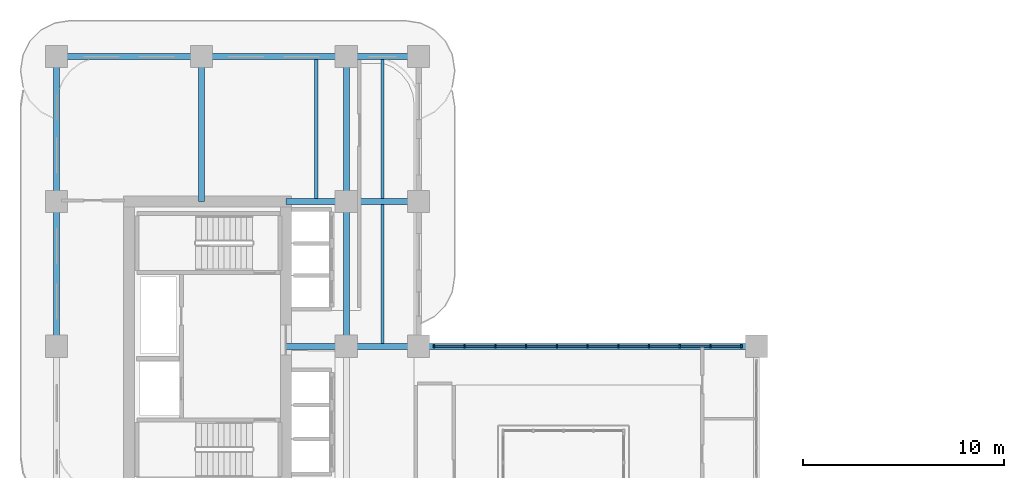
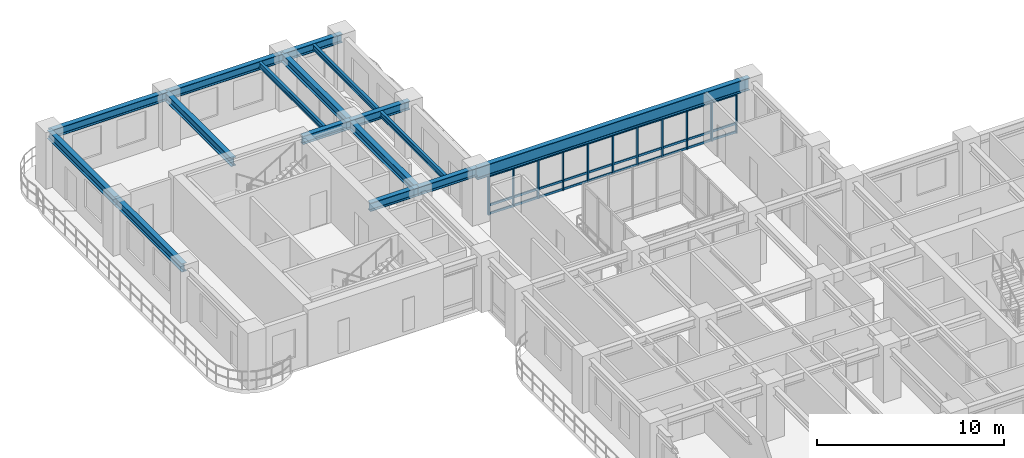
# One storey, part 5 of 19: 41 members, 16 beams, 1 element without a shape of its own.
"""IFC4 building model written with IfcOpenShell, lengths in metres."""

from ifc_helpers import new_model, si_unit, derived_unit, direction, frame, origin, origin_2d, place, context, subcontext, project, spatial, rectangle, i_section, extrude, source, transform, mapped, material, layer, layer_set, material_profile, profile_set, type_object, type_shapes, element, aggregate, save


model = new_model("IFC4")

# Units and contexts
model_context = context("Model", 3, precision=1e-05, world=origin(), true_north=direction((0.0, 1.0)))
body_context = subcontext(model_context, "Body", "Model", "MODEL_VIEW")
ifc_project = project(units=[si_unit("LENGTHUNIT", "METRE"), si_unit("AREAUNIT", "SQUARE_METRE"), si_unit("VOLUMEUNIT", "CUBIC_METRE"), si_unit("PLANEANGLEUNIT", "RADIAN"), si_unit("MASSUNIT", "GRAM", prefix="KILO"), si_unit("THERMODYNAMICTEMPERATUREUNIT", "KELVIN"), si_unit("POWERUNIT", "WATT"), derived_unit("THERMALTRANSMITTANCEUNIT", [(si_unit("POWERUNIT", "WATT"), 1), (si_unit("AREAUNIT", "SQUARE_METRE"), -1), (si_unit("THERMODYNAMICTEMPERATUREUNIT", "KELVIN"), -1)])], contexts=[model_context])

# Site, building, storey
site_placement = place(None, origin())
site = spatial("IfcSite", under=ifc_project, at=site_placement, CompositionType="ELEMENT")
building_placement = place(site_placement, origin())
building = spatial("IfcBuilding", under=site, at=building_placement, Name="Zahravan Archway Hotel and Residences", CompositionType="ELEMENT")
storey_placement = place(building_placement, frame((0.0, 0.0, 102.699951171875)))
storey = spatial("IfcBuildingStorey", under=building, at=storey_placement, Name="L25", CompositionType="ELEMENT", Elevation=102.699951171875)

# Beams
ifc_material_1 = material(Name="Structural Steel S355JR", Category="steel")
ifc_material_profile_1 = material_profile(ifc_material_1, i_section(OverallWidth=0.300048828125, OverallDepth=0.550048828125, WebThickness=0.014892578125, FlangeThickness=0.029052734375, FilletRadius=0.027099609375, at=origin_2d()), Name="HEB 550", Category="steel")
ifc_profile_set_1 = profile_set([ifc_material_profile_1], Name="Structural Steel S355JR")
beam_type_1 = type_object("IfcBeamType", Name="BM-PRI-HEB550", PredefinedType="BEAM", material=ifc_profile_set_1)
shared_shape_1 = source(origin(), body_context, "Body", "SweptSolid", [
    extrude(i_section(OverallWidth=0.300048828125, OverallDepth=0.550048828125, WebThickness=0.014892578125, FlangeThickness=0.029052734375, FilletRadius=0.027099609375, at=origin_2d()), origin(), (0.0, 0.0, 1.0), 7.2001953125),
])
type_shapes(beam_type_1, [shared_shape_1])
for number, where, z_axis, x_axis, name in (
    (1, (0.0, 32.39990234375, 3.125), (0.0, 1.0, 0.0), (-1.0, 0.0, 0.0), "L25 Primary Girder NS-30"),
    (2, (14.39990234375, 32.39990234375, 3.125), (0.0, 1.0, 0.0), (-1.0, 0.0, 0.0), "L25 Primary Girder NS-38"),
):
    element("IfcBeam", number, at=place(storey_placement, frame(where, z_axis=z_axis, x_axis=x_axis)), inside=storey, type_object=beam_type_1, Name=name, PredefinedType="BEAM", context=body_context, shape_type="MappedRepresentation", body=[
        mapped(shared_shape_1, transform((0.0, 0.0, 0.0), scale=1.0)),
    ])
shared_shape_2 = source(origin(), body_context, "Body", "SweptSolid", [
    extrude(i_section(OverallWidth=0.300048828125, OverallDepth=0.550048828125, WebThickness=0.014892578125, FlangeThickness=0.029052734375, FilletRadius=0.027099609375, at=origin_2d()), origin(), (0.0, 0.0, 1.0), 7.199951171875),
])
for number, where, z_axis, x_axis, name in (
    (3, (0.0, 46.800048828125, 3.125), (1.0, 0.0, 0.0), (0.0, 1.0, 0.0), "L25 Primary Girder EW-26"),
    (4, (7.199951171875, 46.800048828125, 3.125), (1.0, 0.0, 0.0), (0.0, 1.0, 0.0), "L25 Primary Girder EW-27"),
    (5, (0.0, 39.60009765625, 3.125), (0.0, 1.0, 0.0), (-1.0, 0.0, 0.0), "L25 Primary Girder NS-31"),
    (6, (7.199951171875, 39.60009765625, 3.125), (0.0, 1.0, 0.0), (-1.0, 0.0, 0.0), "L25 Primary Girder NS-32"),
    (7, (14.39990234375, 39.60009765625, 3.125), (0.0, 1.0, 0.0), (-1.0, 0.0, 0.0), "L25 Primary Girder NS-39"),
):
    element("IfcBeam", number, at=place(storey_placement, frame(where, z_axis=z_axis, x_axis=x_axis)), inside=storey, type_object=beam_type_1, Name=name, PredefinedType="BEAM", context=body_context, shape_type="MappedRepresentation", body=[
        mapped(shared_shape_2, transform((0.0, 0.0, 0.0), scale=1.0)),
    ])
shared_shape_3 = source(origin(), body_context, "Body", "SweptSolid", [
    extrude(i_section(OverallWidth=0.300048828125, OverallDepth=0.550048828125, WebThickness=0.014892578125, FlangeThickness=0.029052734375, FilletRadius=0.027099609375, at=origin_2d()), origin(), (0.0, 0.0, 1.0), 3.0),
])
for number, where, z_axis, x_axis, name in (
    (8, (11.39990234375, 32.39990234375, 3.125), (1.0, 0.0, 0.0), (0.0, 1.0, 0.0), "L25 Primary Girder EW-21"),
    (9, (11.39990234375, 39.60009765625, 3.125), (1.0, 0.0, 0.0), (0.0, 1.0, 0.0), "L25 Primary Girder EW-24"),
):
    element("IfcBeam", number, at=place(storey_placement, frame(where, z_axis=z_axis, x_axis=x_axis)), inside=storey, type_object=beam_type_1, Name=name, PredefinedType="BEAM", context=body_context, shape_type="MappedRepresentation", body=[
        mapped(shared_shape_3, transform((0.0, 0.0, 0.0), scale=1.0)),
    ])
ifc_material_2 = material(Name="Structural Steel S355J2", Category="steel")
ifc_material_profile_2 = material_profile(ifc_material_2, i_section(OverallWidth=0.300048828125, OverallDepth=0.800048828125, WebThickness=0.017578125, FlangeThickness=0.032958984375, FilletRadius=0.030029296875, at=origin_2d()), Name="HEB 800", Category="steel")
ifc_profile_set_2 = profile_set([ifc_material_profile_2], Name="Structural Steel S355J2")
beam_type_2 = type_object("IfcBeamType", Name="BM-PRI-HEB800", PredefinedType="BEAM", material=ifc_profile_set_2)
shared_shape_4 = source(origin(), body_context, "Body", "SweptSolid", [
    extrude(i_section(OverallWidth=0.300048828125, OverallDepth=0.800048828125, WebThickness=0.017578125, FlangeThickness=0.032958984375, FilletRadius=0.030029296875, at=origin_2d()), origin(), (0.0, 0.0, 1.0), 16.800048828125),
])
type_shapes(beam_type_2, [shared_shape_4])
beam_1_placement = place(storey_placement, frame((18.0, 32.39990234375, 3.0), z_axis=(1.0, 0.0, 0.0), x_axis=(0.0, 1.0, 0.0)))
element("IfcBeam", 10, at=beam_1_placement, inside=storey, type_object=beam_type_2, Name="L25 Primary Girder EW-23", PredefinedType="BEAM", context=body_context, shape_type="MappedRepresentation", body=[
    mapped(shared_shape_4, transform((0.0, 0.0, 0.0), scale=1.0)),
])
ifc_material_profile_3 = material_profile(ifc_material_1, i_section(OverallWidth=0.169921875, OverallDepth=0.360107421875, WebThickness=0.008056640625, FlangeThickness=0.0126953125, FilletRadius=0.01806640625, at=origin_2d()), Name="IPE 360", Category="steel")
ifc_profile_set_3 = profile_set([ifc_material_profile_3], Name="Structural Steel S355JR")
beam_type_3 = type_object("IfcBeamType", Name="BM-JST-IPE360", PredefinedType="JOIST", material=ifc_profile_set_3)
shared_shape_5 = source(origin(), body_context, "Body", "SweptSolid", [
    extrude(i_section(OverallWidth=0.169921875, OverallDepth=0.360107421875, WebThickness=0.008056640625, FlangeThickness=0.0126953125, FilletRadius=0.01806640625, at=origin_2d()), origin(), (0.0, 0.0, 1.0), 6.904052734375),
])
type_shapes(beam_type_3, [shared_shape_5])
for number, where, z_axis, x_axis, name in (
    (11, (12.89990234375, 39.748046875, 3.219970703125), (0.0, 1.0, 0.0), (-1.0, 0.0, 0.0), "L25 Composite Floor Joist 14"),
    (12, (16.199951171875, 39.748046875, 3.219970703125), (0.0, 1.0, 0.0), (-1.0, 0.0, 0.0), "L25 Composite Floor Joist 15"),
):
    element("IfcBeam", number, at=place(storey_placement, frame(where, z_axis=z_axis, x_axis=x_axis)), inside=storey, type_object=beam_type_3, Name=name, PredefinedType="JOIST", context=body_context, shape_type="MappedRepresentation", body=[
        mapped(shared_shape_5, transform((0.0, 0.0, 0.0), scale=1.0)),
    ])
shared_shape_6 = source(origin(), body_context, "Body", "SweptSolid", [
    extrude(i_section(OverallWidth=0.169921875, OverallDepth=0.360107421875, WebThickness=0.008056640625, FlangeThickness=0.0126953125, FilletRadius=0.01806640625, at=origin_2d()), origin(), (0.0, 0.0, 1.0), 6.90380859375),
])
beam_2_placement = place(storey_placement, frame((16.199951171875, 32.548095703125, 3.219970703125), z_axis=(0.0, 1.0, 0.0), x_axis=(-1.0, 0.0, 0.0)))
element("IfcBeam", 13, at=beam_2_placement, inside=storey, type_object=beam_type_3, Name="L25 Composite Floor Joist 13", PredefinedType="JOIST", context=body_context, shape_type="MappedRepresentation", body=[
    mapped(shared_shape_6, transform((0.0, 0.0, 0.0), scale=1.0)),
])
shared_shape_7 = source(origin(), body_context, "Body", "SweptSolid", [
    extrude(i_section(OverallWidth=0.300048828125, OverallDepth=0.550048828125, WebThickness=0.014892578125, FlangeThickness=0.029052734375, FilletRadius=0.027099609375, at=origin_2d()), origin(), (0.0, 0.0, 1.0), 3.60009765625),
])
for number, where, z_axis, x_axis, name in (
    (14, (14.39990234375, 32.39990234375, 3.125), (1.0, 0.0, 0.0), (0.0, 1.0, 0.0), "L25 Primary Girder EW-22"),
    (15, (14.39990234375, 39.60009765625, 3.125), (1.0, 0.0, 0.0), (0.0, 1.0, 0.0), "L25 Primary Girder EW-25"),
    (16, (14.39990234375, 46.800048828125, 3.125), (1.0, 0.0, 0.0), (0.0, 1.0, 0.0), "L25 Primary Girder EW-28"),
):
    element("IfcBeam", number, at=place(storey_placement, frame(where, z_axis=z_axis, x_axis=x_axis)), inside=storey, type_object=beam_type_1, Name=name, PredefinedType="BEAM", context=body_context, shape_type="MappedRepresentation", body=[
        mapped(shared_shape_7, transform((0.0, 0.0, 0.0), scale=1.0)),
    ])

# Curtain wall, members
ifc_material_3 = material(Name="Bronze-Anodized Unitised Aluminium & Low-E Glass", Category="aluminium")
ifc_layer = layer(ifc_material_3, 0.179931640625, Name="Bronze-Anodized Unitised Aluminium & Low-E Glass", Category="aluminium")
ifc_layer_set = layer_set([ifc_layer], Name="Bronze-Anodized Unitised Aluminium & Low-E Glass")
curtain_wall_type = type_object("IfcCurtainWallType", Name="CW-ATR-GLAZ", PredefinedType="NOTDEFINED", material=ifc_layer_set)
curtain_wall_placement = place(storey_placement, origin())
curtain_wall = element("IfcCurtainWall", 17, at=curtain_wall_placement, inside=storey, type_object=curtain_wall_type, Name="L25 Curtain Wall CW-L25-HNG-N-1", PredefinedType="NOTDEFINED")
ifc_material_4 = material(Name="Bronze-Anodized Extruded Aluminium", Category="aluminium")
ifc_material_profile_4 = material_profile(ifc_material_4, rectangle(XDim=0.080078125, YDim=0.139892578125, at=origin_2d()), Name="TRN 80x140", Category="aluminium")
ifc_profile_set_4 = profile_set([ifc_material_profile_4], Name="Bronze-Anodized Extruded Aluminium")
member_type_1 = type_object("IfcMemberType", Name="CWM-TRN-140", PredefinedType="USERDEFINED", material=ifc_profile_set_4)
shared_shape_8 = source(origin(), body_context, "Body", "SweptSolid", [
    extrude(rectangle(XDim=0.080078125, YDim=0.139892578125, at=origin_2d()), origin(), (0.0, 0.0, 1.0), 1.447998046875),
])
member_1_placement = place(storey_placement, frame((18.800048828125, 32.39990234375, 0.070068359375), z_axis=(1.0, 0.0, 0.0), x_axis=(0.0, 1.0, 0.0)))
member_1 = element("IfcMember", 18, at=member_1_placement, type_object=member_type_1, Name="CW-L25-HNG-N-1 Transom 0-1", ObjectType="TRANSOM", PredefinedType="USERDEFINED", context=body_context, shape_type="MappedRepresentation", body=[
    mapped(shared_shape_8, transform((0.0, 0.0, 0.0), scale=1.0)),
])
member_2_placement = place(storey_placement, frame((18.800048828125, 32.39990234375, 0.620361328125), z_axis=(1.0, 0.0, 0.0), x_axis=(0.0, 1.0, 0.0)))
member_2 = element("IfcMember", 19, at=member_2_placement, type_object=member_type_1, Name="CW-L25-HNG-N-1 Transom 0-2", ObjectType="TRANSOM", PredefinedType="USERDEFINED", context=body_context, shape_type="MappedRepresentation", body=[
    mapped(shared_shape_8, transform((0.0, 0.0, 0.0), scale=1.0)),
])
member_3_placement = place(storey_placement, frame((18.800048828125, 32.39990234375, 2.51513671875), z_axis=(1.0, 0.0, 0.0), x_axis=(0.0, 1.0, 0.0)))
member_3 = element("IfcMember", 20, at=member_3_placement, type_object=member_type_1, Name="CW-L25-HNG-N-1 Transom 0-3", ObjectType="TRANSOM", PredefinedType="USERDEFINED", context=body_context, shape_type="MappedRepresentation", body=[
    mapped(shared_shape_8, transform((0.0, 0.0, 0.0), scale=1.0)),
])
member_4_placement = place(storey_placement, frame((20.327880859375, 32.39990234375, 0.070068359375), z_axis=(1.0, 0.0, 0.0), x_axis=(0.0, 1.0, 0.0)))
member_4 = element("IfcMember", 21, at=member_4_placement, type_object=member_type_1, Name="CW-L25-HNG-N-1 Transom 1-1", ObjectType="TRANSOM", PredefinedType="USERDEFINED", context=body_context, shape_type="MappedRepresentation", body=[
    mapped(shared_shape_8, transform((0.0, 0.0, 0.0), scale=1.0)),
])
member_5_placement = place(storey_placement, frame((20.327880859375, 32.39990234375, 0.620361328125), z_axis=(1.0, 0.0, 0.0), x_axis=(0.0, 1.0, 0.0)))
member_5 = element("IfcMember", 22, at=member_5_placement, type_object=member_type_1, Name="CW-L25-HNG-N-1 Transom 1-2", ObjectType="TRANSOM", PredefinedType="USERDEFINED", context=body_context, shape_type="MappedRepresentation", body=[
    mapped(shared_shape_8, transform((0.0, 0.0, 0.0), scale=1.0)),
])
member_6_placement = place(storey_placement, frame((20.327880859375, 32.39990234375, 2.51513671875), z_axis=(1.0, 0.0, 0.0), x_axis=(0.0, 1.0, 0.0)))
member_6 = element("IfcMember", 23, at=member_6_placement, type_object=member_type_1, Name="CW-L25-HNG-N-1 Transom 1-3", ObjectType="TRANSOM", PredefinedType="USERDEFINED", context=body_context, shape_type="MappedRepresentation", body=[
    mapped(shared_shape_8, transform((0.0, 0.0, 0.0), scale=1.0)),
])
member_7_placement = place(storey_placement, frame((21.85595703125, 32.39990234375, 0.070068359375), z_axis=(1.0, 0.0, 0.0), x_axis=(0.0, 1.0, 0.0)))
member_7 = element("IfcMember", 24, at=member_7_placement, type_object=member_type_1, Name="CW-L25-HNG-N-1 Transom 2-1", ObjectType="TRANSOM", PredefinedType="USERDEFINED", context=body_context, shape_type="MappedRepresentation", body=[
    mapped(shared_shape_8, transform((0.0, 0.0, 0.0), scale=1.0)),
])
member_8_placement = place(storey_placement, frame((21.85595703125, 32.39990234375, 0.620361328125), z_axis=(1.0, 0.0, 0.0), x_axis=(0.0, 1.0, 0.0)))
member_8 = element("IfcMember", 25, at=member_8_placement, type_object=member_type_1, Name="CW-L25-HNG-N-1 Transom 2-2", ObjectType="TRANSOM", PredefinedType="USERDEFINED", context=body_context, shape_type="MappedRepresentation", body=[
    mapped(shared_shape_8, transform((0.0, 0.0, 0.0), scale=1.0)),
])
member_9_placement = place(storey_placement, frame((21.85595703125, 32.39990234375, 2.51513671875), z_axis=(1.0, 0.0, 0.0), x_axis=(0.0, 1.0, 0.0)))
member_9 = element("IfcMember", 26, at=member_9_placement, type_object=member_type_1, Name="CW-L25-HNG-N-1 Transom 2-3", ObjectType="TRANSOM", PredefinedType="USERDEFINED", context=body_context, shape_type="MappedRepresentation", body=[
    mapped(shared_shape_8, transform((0.0, 0.0, 0.0), scale=1.0)),
])
member_10_placement = place(storey_placement, frame((23.384033203125, 32.39990234375, 0.070068359375), z_axis=(1.0, 0.0, 0.0), x_axis=(0.0, 1.0, 0.0)))
member_10 = element("IfcMember", 27, at=member_10_placement, type_object=member_type_1, Name="CW-L25-HNG-N-1 Transom 3-1", ObjectType="TRANSOM", PredefinedType="USERDEFINED", context=body_context, shape_type="MappedRepresentation", body=[
    mapped(shared_shape_8, transform((0.0, 0.0, 0.0), scale=1.0)),
])
member_11_placement = place(storey_placement, frame((23.384033203125, 32.39990234375, 0.620361328125), z_axis=(1.0, 0.0, 0.0), x_axis=(0.0, 1.0, 0.0)))
member_11 = element("IfcMember", 28, at=member_11_placement, type_object=member_type_1, Name="CW-L25-HNG-N-1 Transom 3-2", ObjectType="TRANSOM", PredefinedType="USERDEFINED", context=body_context, shape_type="MappedRepresentation", body=[
    mapped(shared_shape_8, transform((0.0, 0.0, 0.0), scale=1.0)),
])
member_12_placement = place(storey_placement, frame((23.384033203125, 32.39990234375, 2.51513671875), z_axis=(1.0, 0.0, 0.0), x_axis=(0.0, 1.0, 0.0)))
member_12 = element("IfcMember", 29, at=member_12_placement, type_object=member_type_1, Name="CW-L25-HNG-N-1 Transom 3-3", ObjectType="TRANSOM", PredefinedType="USERDEFINED", context=body_context, shape_type="MappedRepresentation", body=[
    mapped(shared_shape_8, transform((0.0, 0.0, 0.0), scale=1.0)),
])
member_13_placement = place(storey_placement, frame((24.912109375, 32.39990234375, 0.070068359375), z_axis=(1.0, 0.0, 0.0), x_axis=(0.0, 1.0, 0.0)))
member_13 = element("IfcMember", 30, at=member_13_placement, type_object=member_type_1, Name="CW-L25-HNG-N-1 Transom 4-1", ObjectType="TRANSOM", PredefinedType="USERDEFINED", context=body_context, shape_type="MappedRepresentation", body=[
    mapped(shared_shape_8, transform((0.0, 0.0, 0.0), scale=1.0)),
])
member_14_placement = place(storey_placement, frame((24.912109375, 32.39990234375, 0.620361328125), z_axis=(1.0, 0.0, 0.0), x_axis=(0.0, 1.0, 0.0)))
member_14 = element("IfcMember", 31, at=member_14_placement, type_object=member_type_1, Name="CW-L25-HNG-N-1 Transom 4-2", ObjectType="TRANSOM", PredefinedType="USERDEFINED", context=body_context, shape_type="MappedRepresentation", body=[
    mapped(shared_shape_8, transform((0.0, 0.0, 0.0), scale=1.0)),
])
member_15_placement = place(storey_placement, frame((24.912109375, 32.39990234375, 2.51513671875), z_axis=(1.0, 0.0, 0.0), x_axis=(0.0, 1.0, 0.0)))
member_15 = element("IfcMember", 32, at=member_15_placement, type_object=member_type_1, Name="CW-L25-HNG-N-1 Transom 4-3", ObjectType="TRANSOM", PredefinedType="USERDEFINED", context=body_context, shape_type="MappedRepresentation", body=[
    mapped(shared_shape_8, transform((0.0, 0.0, 0.0), scale=1.0)),
])
member_16_placement = place(storey_placement, frame((26.43994140625, 32.39990234375, 0.070068359375), z_axis=(1.0, 0.0, 0.0), x_axis=(0.0, 1.0, 0.0)))
member_16 = element("IfcMember", 33, at=member_16_placement, type_object=member_type_1, Name="CW-L25-HNG-N-1 Transom 5-1", ObjectType="TRANSOM", PredefinedType="USERDEFINED", context=body_context, shape_type="MappedRepresentation", body=[
    mapped(shared_shape_8, transform((0.0, 0.0, 0.0), scale=1.0)),
])
member_17_placement = place(storey_placement, frame((26.43994140625, 32.39990234375, 0.620361328125), z_axis=(1.0, 0.0, 0.0), x_axis=(0.0, 1.0, 0.0)))
member_17 = element("IfcMember", 34, at=member_17_placement, type_object=member_type_1, Name="CW-L25-HNG-N-1 Transom 5-2", ObjectType="TRANSOM", PredefinedType="USERDEFINED", context=body_context, shape_type="MappedRepresentation", body=[
    mapped(shared_shape_8, transform((0.0, 0.0, 0.0), scale=1.0)),
])
member_18_placement = place(storey_placement, frame((26.43994140625, 32.39990234375, 2.51513671875), z_axis=(1.0, 0.0, 0.0), x_axis=(0.0, 1.0, 0.0)))
member_18 = element("IfcMember", 35, at=member_18_placement, type_object=member_type_1, Name="CW-L25-HNG-N-1 Transom 5-3", ObjectType="TRANSOM", PredefinedType="USERDEFINED", context=body_context, shape_type="MappedRepresentation", body=[
    mapped(shared_shape_8, transform((0.0, 0.0, 0.0), scale=1.0)),
])
member_19_placement = place(storey_placement, frame((27.968017578125, 32.39990234375, 0.070068359375), z_axis=(1.0, 0.0, 0.0), x_axis=(0.0, 1.0, 0.0)))
member_19 = element("IfcMember", 36, at=member_19_placement, type_object=member_type_1, Name="CW-L25-HNG-N-1 Transom 6-1", ObjectType="TRANSOM", PredefinedType="USERDEFINED", context=body_context, shape_type="MappedRepresentation", body=[
    mapped(shared_shape_8, transform((0.0, 0.0, 0.0), scale=1.0)),
])
member_20_placement = place(storey_placement, frame((27.968017578125, 32.39990234375, 0.620361328125), z_axis=(1.0, 0.0, 0.0), x_axis=(0.0, 1.0, 0.0)))
member_20 = element("IfcMember", 37, at=member_20_placement, type_object=member_type_1, Name="CW-L25-HNG-N-1 Transom 6-2", ObjectType="TRANSOM", PredefinedType="USERDEFINED", context=body_context, shape_type="MappedRepresentation", body=[
    mapped(shared_shape_8, transform((0.0, 0.0, 0.0), scale=1.0)),
])
member_21_placement = place(storey_placement, frame((27.968017578125, 32.39990234375, 2.51513671875), z_axis=(1.0, 0.0, 0.0), x_axis=(0.0, 1.0, 0.0)))
member_21 = element("IfcMember", 38, at=member_21_placement, type_object=member_type_1, Name="CW-L25-HNG-N-1 Transom 6-3", ObjectType="TRANSOM", PredefinedType="USERDEFINED", context=body_context, shape_type="MappedRepresentation", body=[
    mapped(shared_shape_8, transform((0.0, 0.0, 0.0), scale=1.0)),
])
member_22_placement = place(storey_placement, frame((29.49609375, 32.39990234375, 0.070068359375), z_axis=(1.0, 0.0, 0.0), x_axis=(0.0, 1.0, 0.0)))
member_22 = element("IfcMember", 39, at=member_22_placement, type_object=member_type_1, Name="CW-L25-HNG-N-1 Transom 7-1", ObjectType="TRANSOM", PredefinedType="USERDEFINED", context=body_context, shape_type="MappedRepresentation", body=[
    mapped(shared_shape_8, transform((0.0, 0.0, 0.0), scale=1.0)),
])
member_23_placement = place(storey_placement, frame((29.49609375, 32.39990234375, 0.620361328125), z_axis=(1.0, 0.0, 0.0), x_axis=(0.0, 1.0, 0.0)))
member_23 = element("IfcMember", 40, at=member_23_placement, type_object=member_type_1, Name="CW-L25-HNG-N-1 Transom 7-2", ObjectType="TRANSOM", PredefinedType="USERDEFINED", context=body_context, shape_type="MappedRepresentation", body=[
    mapped(shared_shape_8, transform((0.0, 0.0, 0.0), scale=1.0)),
])
member_24_placement = place(storey_placement, frame((29.49609375, 32.39990234375, 2.51513671875), z_axis=(1.0, 0.0, 0.0), x_axis=(0.0, 1.0, 0.0)))
member_24 = element("IfcMember", 41, at=member_24_placement, type_object=member_type_1, Name="CW-L25-HNG-N-1 Transom 7-3", ObjectType="TRANSOM", PredefinedType="USERDEFINED", context=body_context, shape_type="MappedRepresentation", body=[
    mapped(shared_shape_8, transform((0.0, 0.0, 0.0), scale=1.0)),
])
member_25_placement = place(storey_placement, frame((31.02392578125, 32.39990234375, 0.070068359375), z_axis=(1.0, 0.0, 0.0), x_axis=(0.0, 1.0, 0.0)))
member_25 = element("IfcMember", 42, at=member_25_placement, type_object=member_type_1, Name="CW-L25-HNG-N-1 Transom 8-1", ObjectType="TRANSOM", PredefinedType="USERDEFINED", context=body_context, shape_type="MappedRepresentation", body=[
    mapped(shared_shape_8, transform((0.0, 0.0, 0.0), scale=1.0)),
])
member_26_placement = place(storey_placement, frame((31.02392578125, 32.39990234375, 0.620361328125), z_axis=(1.0, 0.0, 0.0), x_axis=(0.0, 1.0, 0.0)))
member_26 = element("IfcMember", 43, at=member_26_placement, type_object=member_type_1, Name="CW-L25-HNG-N-1 Transom 8-2", ObjectType="TRANSOM", PredefinedType="USERDEFINED", context=body_context, shape_type="MappedRepresentation", body=[
    mapped(shared_shape_8, transform((0.0, 0.0, 0.0), scale=1.0)),
])
member_27_placement = place(storey_placement, frame((31.02392578125, 32.39990234375, 2.51513671875), z_axis=(1.0, 0.0, 0.0), x_axis=(0.0, 1.0, 0.0)))
member_27 = element("IfcMember", 44, at=member_27_placement, type_object=member_type_1, Name="CW-L25-HNG-N-1 Transom 8-3", ObjectType="TRANSOM", PredefinedType="USERDEFINED", context=body_context, shape_type="MappedRepresentation", body=[
    mapped(shared_shape_8, transform((0.0, 0.0, 0.0), scale=1.0)),
])
member_28_placement = place(storey_placement, frame((32.552001953125, 32.39990234375, 0.070068359375), z_axis=(1.0, 0.0, 0.0), x_axis=(0.0, 1.0, 0.0)))
member_28 = element("IfcMember", 45, at=member_28_placement, type_object=member_type_1, Name="CW-L25-HNG-N-1 Transom 9-1", ObjectType="TRANSOM", PredefinedType="USERDEFINED", context=body_context, shape_type="MappedRepresentation", body=[
    mapped(shared_shape_8, transform((0.0, 0.0, 0.0), scale=1.0)),
])
member_29_placement = place(storey_placement, frame((32.552001953125, 32.39990234375, 0.620361328125), z_axis=(1.0, 0.0, 0.0), x_axis=(0.0, 1.0, 0.0)))
member_29 = element("IfcMember", 46, at=member_29_placement, type_object=member_type_1, Name="CW-L25-HNG-N-1 Transom 9-2", ObjectType="TRANSOM", PredefinedType="USERDEFINED", context=body_context, shape_type="MappedRepresentation", body=[
    mapped(shared_shape_8, transform((0.0, 0.0, 0.0), scale=1.0)),
])
member_30_placement = place(storey_placement, frame((32.552001953125, 32.39990234375, 2.51513671875), z_axis=(1.0, 0.0, 0.0), x_axis=(0.0, 1.0, 0.0)))
member_30 = element("IfcMember", 47, at=member_30_placement, type_object=member_type_1, Name="CW-L25-HNG-N-1 Transom 9-3", ObjectType="TRANSOM", PredefinedType="USERDEFINED", context=body_context, shape_type="MappedRepresentation", body=[
    mapped(shared_shape_8, transform((0.0, 0.0, 0.0), scale=1.0)),
])
ifc_material_profile_5 = material_profile(ifc_material_4, rectangle(XDim=0.080078125, YDim=0.159912109375, at=origin_2d()), Name="MUL 80x160", Category="aluminium")
ifc_profile_set_5 = profile_set([ifc_material_profile_5], Name="Bronze-Anodized Extruded Aluminium")
member_type_2 = type_object("IfcMemberType", Name="CWM-MUL-160", PredefinedType="MULLION", material=ifc_profile_set_5)
shared_shape_9 = source(origin(), body_context, "Body", "SweptSolid", [
    extrude(rectangle(XDim=0.080078125, YDim=0.159912109375, at=origin_2d()), origin(), (0.0, 0.0, 1.0), 2.5849609375),
])
member_31_placement = place(storey_placement, frame((18.760009765625, 32.39990234375, 0.0), z_axis=(0.0, 0.0, 1.0), x_axis=(1.0, 0.0, 0.0)))
member_31 = element("IfcMember", 48, at=member_31_placement, type_object=member_type_2, Name="CW-L25-HNG-N-1 Mullion 0", PredefinedType="MULLION", context=body_context, shape_type="MappedRepresentation", body=[
    mapped(shared_shape_9, transform((0.0, 0.0, 0.0), scale=1.0)),
])
member_32_placement = place(storey_placement, frame((20.2880859375, 32.39990234375, 0.0), z_axis=(0.0, 0.0, 1.0), x_axis=(1.0, 0.0, 0.0)))
member_32 = element("IfcMember", 49, at=member_32_placement, type_object=member_type_2, Name="CW-L25-HNG-N-1 Mullion 1", PredefinedType="MULLION", context=body_context, shape_type="MappedRepresentation", body=[
    mapped(shared_shape_9, transform((0.0, 0.0, 0.0), scale=1.0)),
])
member_33_placement = place(storey_placement, frame((21.81591796875, 32.39990234375, 0.0), z_axis=(0.0, 0.0, 1.0), x_axis=(1.0, 0.0, 0.0)))
member_33 = element("IfcMember", 50, at=member_33_placement, type_object=member_type_2, Name="CW-L25-HNG-N-1 Mullion 2", PredefinedType="MULLION", context=body_context, shape_type="MappedRepresentation", body=[
    mapped(shared_shape_9, transform((0.0, 0.0, 0.0), scale=1.0)),
])
member_34_placement = place(storey_placement, frame((23.343994140625, 32.39990234375, 0.0), z_axis=(0.0, 0.0, 1.0), x_axis=(1.0, 0.0, 0.0)))
member_34 = element("IfcMember", 51, at=member_34_placement, type_object=member_type_2, Name="CW-L25-HNG-N-1 Mullion 3", PredefinedType="MULLION", context=body_context, shape_type="MappedRepresentation", body=[
    mapped(shared_shape_9, transform((0.0, 0.0, 0.0), scale=1.0)),
])
member_35_placement = place(storey_placement, frame((24.8720703125, 32.39990234375, 0.0), z_axis=(0.0, 0.0, 1.0), x_axis=(1.0, 0.0, 0.0)))
member_35 = element("IfcMember", 52, at=member_35_placement, type_object=member_type_2, Name="CW-L25-HNG-N-1 Mullion 4", PredefinedType="MULLION", context=body_context, shape_type="MappedRepresentation", body=[
    mapped(shared_shape_9, transform((0.0, 0.0, 0.0), scale=1.0)),
])
member_36_placement = place(storey_placement, frame((26.39990234375, 32.39990234375, 0.0), z_axis=(0.0, 0.0, 1.0), x_axis=(1.0, 0.0, 0.0)))
member_36 = element("IfcMember", 53, at=member_36_placement, type_object=member_type_2, Name="CW-L25-HNG-N-1 Mullion 5", PredefinedType="MULLION", context=body_context, shape_type="MappedRepresentation", body=[
    mapped(shared_shape_9, transform((0.0, 0.0, 0.0), scale=1.0)),
])
member_37_placement = place(storey_placement, frame((27.927978515625, 32.39990234375, 0.0), z_axis=(0.0, 0.0, 1.0), x_axis=(1.0, 0.0, 0.0)))
member_37 = element("IfcMember", 54, at=member_37_placement, type_object=member_type_2, Name="CW-L25-HNG-N-1 Mullion 6", PredefinedType="MULLION", context=body_context, shape_type="MappedRepresentation", body=[
    mapped(shared_shape_9, transform((0.0, 0.0, 0.0), scale=1.0)),
])
member_38_placement = place(storey_placement, frame((29.4560546875, 32.39990234375, 0.0), z_axis=(0.0, 0.0, 1.0), x_axis=(1.0, 0.0, 0.0)))
member_38 = element("IfcMember", 55, at=member_38_placement, type_object=member_type_2, Name="CW-L25-HNG-N-1 Mullion 7", PredefinedType="MULLION", context=body_context, shape_type="MappedRepresentation", body=[
    mapped(shared_shape_9, transform((0.0, 0.0, 0.0), scale=1.0)),
])
member_39_placement = place(storey_placement, frame((30.98388671875, 32.39990234375, 0.0), z_axis=(0.0, 0.0, 1.0), x_axis=(1.0, 0.0, 0.0)))
member_39 = element("IfcMember", 56, at=member_39_placement, type_object=member_type_2, Name="CW-L25-HNG-N-1 Mullion 8", PredefinedType="MULLION", context=body_context, shape_type="MappedRepresentation", body=[
    mapped(shared_shape_9, transform((0.0, 0.0, 0.0), scale=1.0)),
])
member_40_placement = place(storey_placement, frame((32.511962890625, 32.39990234375, 0.0), z_axis=(0.0, 0.0, 1.0), x_axis=(1.0, 0.0, 0.0)))
member_40 = element("IfcMember", 57, at=member_40_placement, type_object=member_type_2, Name="CW-L25-HNG-N-1 Mullion 9", PredefinedType="MULLION", context=body_context, shape_type="MappedRepresentation", body=[
    mapped(shared_shape_9, transform((0.0, 0.0, 0.0), scale=1.0)),
])
member_41_placement = place(storey_placement, frame((34.0400390625, 32.39990234375, 0.0), z_axis=(0.0, 0.0, 1.0), x_axis=(1.0, 0.0, 0.0)))
member_41 = element("IfcMember", 58, at=member_41_placement, type_object=member_type_2, Name="CW-L25-HNG-N-1 Mullion 10", PredefinedType="MULLION", context=body_context, shape_type="MappedRepresentation", body=[
    mapped(shared_shape_9, transform((0.0, 0.0, 0.0), scale=1.0)),
])
aggregate(curtain_wall, [member_31, member_32, member_33, member_34, member_35, member_36, member_37, member_38, member_39, member_40, member_41, member_1, member_2, member_3, member_4, member_5, member_6, member_7, member_8, member_9, member_10, member_11, member_12, member_13, member_14, member_15, member_16, member_17, member_18, member_19, member_20, member_21, member_22, member_23, member_24, member_25, member_26, member_27, member_28, member_29, member_30])

save(model, "model.ifc")
